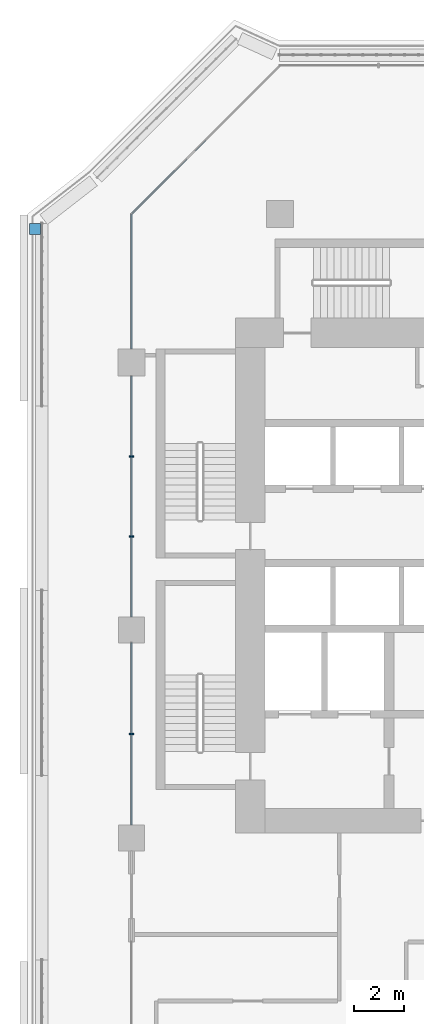
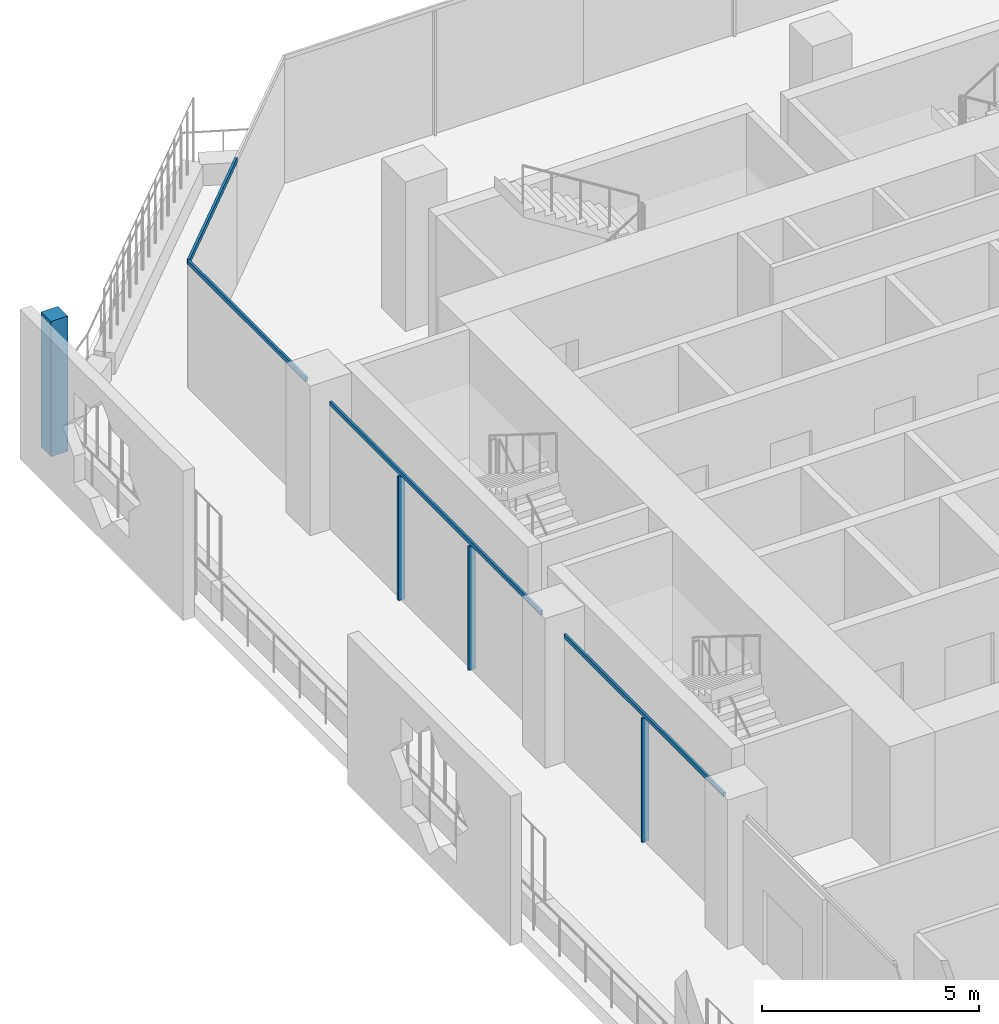
# One storey, part 5 of 25: 8 members, 3 elements without a shape of their own.
"""IFC4 building model written with IfcOpenShell, lengths in metres."""

import ifcopenshell
import ifcopenshell.guid

model = None  # the IFC model being written
_history = None  # IfcOwnerHistory: only IFC2X3 demands one
_inside = {}  # id of a spatial element -> (the spatial element, [elements in it])
_under = {}  # id of a project, library or spatial element -> (it, [spatial elements below it])
_declared = {}  # id of a project -> (the project, [libraries it declares])
_typed = {}  # id of a type object -> (the type object, [elements of that type])
_made_of = {}  # id of a material, layer set ... -> (it, [elements and type objects made of it])


def new_model(schema):
    """Start an empty IFC model of exactly this schema.

    Asked for "IFC4X3", IfcOpenShell would pick the latest addendum, in which some entities
    have other attributes; the version numbers below select the first issue.
    IFC2X3 requires an IfcOwnerHistory on every rooted entity: one is made here for all.
    """
    global model, _history
    if schema == "IFC4X3":
        model = ifcopenshell.file(schema_version=(4, 3, 0, 0))
    else:
        model = ifcopenshell.file(schema=schema)
    _inside.clear()
    _under.clear()
    _declared.clear()
    _typed.clear()
    _made_of.clear()
    _history = None
    if model.schema == "IFC2X3":
        org = make("IfcOrganization", Name="unknown")
        user = make(
            "IfcPersonAndOrganization",
            ThePerson=make("IfcPerson", FamilyName="unknown"),
            TheOrganization=org,
        )
        app = make(
            "IfcApplication",
            ApplicationDeveloper=org,
            Version="unknown",
            ApplicationFullName="unknown",
            ApplicationIdentifier="unknown",
        )
        _history = make(
            "IfcOwnerHistory",
            OwningUser=user,
            OwningApplication=app,
            ChangeAction="ADDED",
            CreationDate=0,
        )
    return model


def make(cls, **values):
    """One entity of the class cls with the attributes given. An attribute that is None is left unset."""
    return model.create_entity(
        cls, **{name: value for name, value in values.items() if value is not None}
    )


def rooted(cls, **values):
    """An entity with a GlobalId (a new one), such as an element, a storey or a relation."""
    return make(cls, GlobalId=ifcopenshell.guid.new(), OwnerHistory=_history, **values)


def si_unit(unit_type, name, prefix=None):
    """IfcSIUnit, for example si_unit("LENGTHUNIT", "METRE", prefix="MILLI")."""
    return make("IfcSIUnit", UnitType=unit_type, Prefix=prefix, Name=name)


def assignment(units):
    """IfcUnitAssignment: the units of a project."""
    return None if units is None else make("IfcUnitAssignment", Units=units)


def point(xyz):
    """IfcCartesianPoint."""
    return None if xyz is None else make("IfcCartesianPoint", Coordinates=xyz)


def direction(xyz):
    """IfcDirection."""
    return None if xyz is None else make("IfcDirection", DirectionRatios=xyz)


def frame(location, z_axis=None, x_axis=None):
    """IfcAxis2Placement3D, a coordinate frame: its origin and axes. An axis left out is left unset."""
    return make(
        "IfcAxis2Placement3D",
        Location=point(location),
        Axis=direction(z_axis),
        RefDirection=direction(x_axis),
    )


def frame_2d(location, x_axis=None):
    """IfcAxis2Placement2D, a coordinate frame in the plane: its origin and x axis."""
    return make(
        "IfcAxis2Placement2D", Location=point(location), RefDirection=direction(x_axis)
    )


def origin():
    """The frame at (0, 0, 0) with its axes left unset."""
    return frame((0.0, 0.0, 0.0))


def origin_2d():
    """The frame at (0, 0) in the plane with its x axis left unset."""
    return frame_2d((0.0, 0.0))


def place(relative_to, where):
    """IfcLocalPlacement: puts the frame where relative to a parent placement (None: the world)."""
    return make(
        "IfcLocalPlacement", PlacementRelTo=relative_to, RelativePlacement=where
    )


def context(
    kind, dimensions, precision=None, world=None, true_north=None, identifier=None
):
    """IfcGeometricRepresentationContext, for example the 3D "Model" context."""
    return make(
        "IfcGeometricRepresentationContext",
        ContextIdentifier=identifier,
        ContextType=kind,
        CoordinateSpaceDimension=dimensions,
        Precision=precision,
        WorldCoordinateSystem=world,
        TrueNorth=true_north,
    )


def subcontext(parent, identifier, kind, view, scale=None):
    """IfcGeometricRepresentationSubContext, for example "Body" below "Model"."""
    return make(
        "IfcGeometricRepresentationSubContext",
        ContextIdentifier=identifier,
        ContextType=kind,
        ParentContext=parent,
        TargetScale=scale,
        TargetView=view,
    )


def project(units=None, contexts=None):
    """IfcProject with its units and contexts."""
    return rooted(
        "IfcProject",
        Name="project",
        RepresentationContexts=contexts,
        UnitsInContext=assignment(units),
    )


def spatial(cls, under=None, at=None, **own):
    """A site, building, storey or space (cls), placed at a placement, below another one or the project."""
    s = rooted(cls, ObjectPlacement=at, **own)
    if under is not None:
        _under.setdefault(under.id(), (under, []))[1].append(s)
    return s


def profile(cls, at=None, kind="AREA", **sizes):
    """A parametric profile (cls). Its sizes go by their IFC names, for example OverallWidth=200.0."""
    return make(cls, ProfileType=kind, Position=at, **sizes)


def rectangle(**sizes):
    """IfcRectangleProfileDef."""
    return profile("IfcRectangleProfileDef", **sizes)


def extrude(swept, where, along, depth):
    """IfcExtrudedAreaSolid: the profile swept, set in the frame where, extruded along a direction by depth."""
    return make(
        "IfcExtrudedAreaSolid",
        SweptArea=swept,
        Position=where,
        ExtrudedDirection=direction(along),
        Depth=depth,
    )


def shape(context_of_items, identifier, shape_type, items):
    """IfcShapeRepresentation: the items that make up one representation, for example the "Body"."""
    return make(
        "IfcShapeRepresentation",
        ContextOfItems=context_of_items,
        RepresentationIdentifier=identifier,
        RepresentationType=shape_type,
        Items=items,
    )


def material(Name=None, Category=None):
    """IfcMaterial."""
    return make("IfcMaterial", Name=Name, Category=Category)


def layer(
    of_material, thickness, ventilated=None, Name=None, Category=None, Priority=None
):
    """IfcMaterialLayer: one layer of a wall or slab, of a material (None: an air gap)."""
    return make(
        "IfcMaterialLayer",
        Material=of_material,
        LayerThickness=thickness,
        IsVentilated=ventilated,
        Name=Name,
        Category=Category,
        Priority=Priority,
    )


def layer_set(layers, Name=None):
    """IfcMaterialLayerSet."""
    return make("IfcMaterialLayerSet", MaterialLayers=layers, LayerSetName=Name)


def material_profile(
    of_material, cross_section, Name=None, Category=None, Priority=None
):
    """IfcMaterialProfile: a cross section and its material."""
    return make(
        "IfcMaterialProfile",
        Name=Name,
        Material=of_material,
        Profile=cross_section,
        Priority=Priority,
        Category=Category,
    )


def profile_set(profiles, Name=None, composite=None):
    """IfcMaterialProfileSet."""
    return make(
        "IfcMaterialProfileSet",
        Name=Name,
        MaterialProfiles=profiles,
        CompositeProfile=composite,
    )


def made_of(thing, what):
    """Note that an element or type object is made of a material, layer set ...; save() writes the relation."""
    if what is not None:
        _made_of.setdefault(what.id(), (what, []))[1].append(thing)
    return thing


def type_object(cls, material=None, **own):
    """A type object (cls), such as IfcWallType, which elements share."""
    return made_of(rooted(cls, **own), material)


def element(
    cls,
    number,
    at=None,
    inside=None,
    cuts=None,
    type_object=None,
    material=None,
    context=None,
    identifier="Body",
    shape_type=None,
    held_by="IfcProductDefinitionShape",
    body=None,
    shapes=None,
    **own,
):
    """One element of the class cls, such as IfcWall. Its Tag is "e" and its number.

    at: its placement. inside: the storey or other place that contains it. cuts: it is an
    opening in that element (IfcRelVoidsElement). A single representation is given by context,
    identifier, shape_type and body (its items); several are given by shapes. held_by: the class
    of the entity that holds the representations. save() writes the other relations.
    """
    e = rooted(cls, Tag="e%d" % number, ObjectPlacement=at, **own)
    if body is not None:
        shapes = [shape(context, identifier, shape_type, body)]
    if shapes is not None:
        e.Representation = make(held_by, Representations=shapes)
    if inside is not None:
        _inside.setdefault(inside.id(), (inside, []))[1].append(e)
    if cuts is not None:
        rooted(
            "IfcRelVoidsElement", RelatingBuildingElement=cuts, RelatedOpeningElement=e
        )
    if type_object is not None:
        _typed.setdefault(type_object.id(), (type_object, []))[1].append(e)
    return made_of(e, material)


def aggregate(whole, parts):
    """IfcRelAggregates: a whole, such as a stair, and the parts it consists of."""
    return rooted("IfcRelAggregates", RelatingObject=whole, RelatedObjects=parts)


def save(model, path):
    """Write the relations noted so far, then the file.

    IfcRelAggregates (storeys below a building ...), IfcRelContainedInSpatialStructure (elements
    in a storey), IfcRelDefinesByType, IfcRelAssociatesMaterial and IfcRelDeclares: one each for
    every whole, place, type object, material and project.
    """
    for whole, parts in _under.values():
        aggregate(whole, parts)
    for where, things in _inside.values():
        rooted(
            "IfcRelContainedInSpatialStructure",
            RelatedElements=things,
            RelatingStructure=where,
        )
    for kind, things in _typed.values():
        rooted("IfcRelDefinesByType", RelatedObjects=things, RelatingType=kind)
    for what, things in _made_of.values():
        rooted("IfcRelAssociatesMaterial", RelatedObjects=things, RelatingMaterial=what)
    for by, libraries in _declared.values():
        rooted("IfcRelDeclares", RelatingContext=by, RelatedDefinitions=libraries)
    model.write(path)


model = new_model("IFC4")

# Units and contexts
model_context = context("Model", 3, precision=1e-05, world=origin(), true_north=direction((0.0, 1.0)))
body_context = subcontext(model_context, "Body", "Model", "MODEL_VIEW")
ifc_project = project(units=[si_unit("LENGTHUNIT", "METRE"), si_unit("AREAUNIT", "SQUARE_METRE"), si_unit("VOLUMEUNIT", "CUBIC_METRE"), si_unit("PLANEANGLEUNIT", "RADIAN"), si_unit("MASSUNIT", "GRAM", prefix="KILO")], contexts=[model_context])

# Site, building, storey
site_placement = place(None, origin())
site = spatial("IfcSite", under=ifc_project, at=site_placement, CompositionType="ELEMENT")
building_placement = place(site_placement, origin())
building = spatial("IfcBuilding", under=site, at=building_placement, Name="Kawkab Arch Medical Tower", CompositionType="ELEMENT")
storey_placement = place(building_placement, frame((0.0, 0.0, 136.60009765625)))
storey = spatial("IfcBuildingStorey", under=building, at=storey_placement, Name="L31", CompositionType="ELEMENT", Elevation=136.60009765625)

# Curtain wall, members
ifc_material_1 = material(Name="Bronze anodised aluminium curtain wall frame", Category="aluminium")
ifc_layer_1 = layer(ifc_material_1, 0.159912109375)
ifc_layer_set_1 = layer_set([ifc_layer_1], Name="Bronze anodised aluminium curtain wall frame")
curtain_wall_type_1 = type_object("IfcCurtainWallType", Name="CW1 ward curtain wall", PredefinedType="NOTDEFINED", material=ifc_layer_set_1)
placement = place(storey_placement, origin())
curtain_wall_1 = element("IfcCurtainWall", 1, at=placement, inside=storey, type_object=curtain_wall_type_1, Name="CW1 Ward curtain wall R01", PredefinedType="NOTDEFINED")
ifc_material_2 = material(Name="Bronze anodised aluminium curtain wall frame", Category="aluminium")
ifc_material_profile_1 = material_profile(ifc_material_2, rectangle(XDim=0.179931640625, YDim=0.06005859375, at=origin_2d()), Name="AL 60x180")
ifc_profile_set_1 = profile_set([ifc_material_profile_1], Name="Bronze anodised aluminium curtain wall frame")
member_type_1 = type_object("IfcMemberType", Name="CW1 mullion 60 x 180", PredefinedType="MULLION", material=ifc_profile_set_1)
member_1_placement = place(storey_placement, frame((0.0, -9.791748046875, 0.0), z_axis=(0.0, 0.0, 1.0), x_axis=(1.0, 0.0, 0.0)))
member_1 = element("IfcMember", 2, at=member_1_placement, type_object=member_type_1, Name="CW1 mullion 2.1", PredefinedType="MULLION", context=body_context, shape_type="SweptSolid", body=[
    extrude(rectangle(XDim=0.179931640625, YDim=0.06005859375, at=origin_2d()), origin(), (0.0, 0.0, 1.0), 3.47998046875),
])
member_2_placement = place(storey_placement, frame((0.0, -13.033447265625, 0.0), z_axis=(0.0, 0.0, 1.0), x_axis=(1.0, 0.0, 0.0)))
member_2 = element("IfcMember", 3, at=member_2_placement, type_object=member_type_1, Name="CW1 mullion 2.2", PredefinedType="MULLION", context=body_context, shape_type="SweptSolid", body=[
    extrude(rectangle(XDim=0.179931640625, YDim=0.06005859375, at=origin_2d()), origin(), (0.0, 0.0, 1.0), 3.47998046875),
])
member_3_placement = place(storey_placement, frame((0.0, -21.0, 0.0), z_axis=(0.0, 0.0, 1.0), x_axis=(1.0, 0.0, 0.0)))
member_3 = element("IfcMember", 4, at=member_3_placement, type_object=member_type_1, Name="CW1 mullion 3.1", PredefinedType="MULLION", context=body_context, shape_type="SweptSolid", body=[
    extrude(rectangle(XDim=0.179931640625, YDim=0.06005859375, at=origin_2d()), origin(), (0.0, 0.0, 1.0), 3.47998046875),
])
ifc_material_3 = material(Name="Bronze anodised aluminium curtain wall frame", Category="aluminium")
ifc_material_profile_2 = material_profile(ifc_material_3, rectangle(XDim=0.06005859375, YDim=0.1201171875, at=origin_2d()), Name="AL 60x120")
ifc_profile_set_2 = profile_set([ifc_material_profile_2], Name="Bronze anodised aluminium curtain wall frame")
member_type_2 = type_object("IfcMemberType", Name="CW1 transom 120 x 60", PredefinedType="USERDEFINED", material=ifc_profile_set_2)
member_4_placement = place(storey_placement, frame((0.0, 0.0, 3.539794921875), z_axis=(0.0, -1.0, 0.0), x_axis=(1.0, 0.0, 0.0)))
member_4 = element("IfcMember", 5, at=member_4_placement, type_object=member_type_2, Name="CW1 transom 1", ObjectType="TRANSOM", PredefinedType="USERDEFINED", context=body_context, shape_type="SweptSolid", body=[
    extrude(rectangle(XDim=0.06005859375, YDim=0.1201171875, at=origin_2d()), origin(), (0.0, 0.0, 1.0), 5.449951171875),
])
member_5_placement = place(storey_placement, frame((0.0, -6.550048828125, 3.539794921875), z_axis=(0.0, -1.0, 0.0), x_axis=(1.0, 0.0, 0.0)))
member_5 = element("IfcMember", 6, at=member_5_placement, type_object=member_type_2, Name="CW1 transom 2", ObjectType="TRANSOM", PredefinedType="USERDEFINED", context=body_context, shape_type="SweptSolid", body=[
    extrude(rectangle(XDim=0.06005859375, YDim=0.1201171875, at=origin_2d()), origin(), (0.0, 0.0, 1.0), 9.724853515625),
])
member_6_placement = place(storey_placement, frame((0.0, -17.324951171875, 3.539794921875), z_axis=(0.0, -1.0, 0.0), x_axis=(1.0, 0.0, 0.0)))
member_6 = element("IfcMember", 7, at=member_6_placement, type_object=member_type_2, Name="CW1 transom 3", ObjectType="TRANSOM", PredefinedType="USERDEFINED", context=body_context, shape_type="SweptSolid", body=[
    extrude(rectangle(XDim=0.06005859375, YDim=0.1201171875, at=origin_2d()), origin(), (0.0, 0.0, 1.0), 7.35009765625),
])
aggregate(curtain_wall_1, [member_4, member_5, member_1, member_2, member_6, member_3])

# Curtain wall, member
ifc_material_4 = material(Name="Bronze anodised aluminium curtain wall frame", Category="aluminium")
ifc_layer_2 = layer(ifc_material_4, 0.159912109375)
ifc_layer_set_2 = layer_set([ifc_layer_2], Name="Bronze anodised aluminium curtain wall frame")
curtain_wall_type_2 = type_object("IfcCurtainWallType", Name="CW2 chamfer curtain wall", PredefinedType="NOTDEFINED", material=ifc_layer_set_2)
curtain_wall_2 = element("IfcCurtainWall", 8, at=placement, inside=storey, type_object=curtain_wall_type_2, Name="CW2 Chamfer curtain wall R12", PredefinedType="NOTDEFINED")
ifc_material_5 = material(Name="Bronze anodised aluminium curtain wall frame", Category="aluminium")
ifc_material_profile_3 = material_profile(ifc_material_5, rectangle(XDim=0.06005859375, YDim=0.139892578125, at=origin_2d()), Name="AL 60x140")
ifc_profile_set_3 = profile_set([ifc_material_profile_3], Name="Bronze anodised aluminium curtain wall frame")
member_type_3 = type_object("IfcMemberType", Name="CW2 transom 140 x 60", PredefinedType="USERDEFINED", material=ifc_profile_set_3)
member_7_placement = place(storey_placement, frame((3.0, 3.0, 3.52978515625), z_axis=(-0.707106781187, -0.707106781187, 0.0), x_axis=(0.707106781187, -0.707106781187, 0.0)))
member_7 = element("IfcMember", 9, at=member_7_placement, type_object=member_type_3, Name="CW2 transom 2", ObjectType="TRANSOM", PredefinedType="USERDEFINED", context=body_context, shape_type="SweptSolid", body=[
    extrude(rectangle(XDim=0.06005859375, YDim=0.139892578125, at=origin_2d()), origin(), (0.0, 0.0, 1.0), 4.24267578125),
])
aggregate(curtain_wall_2, [member_7])

ifc_material_6 = material(Name="Bronze anodised aluminium climber frame, planted", Category="aluminium")
ifc_layer_3 = layer(ifc_material_6, 0.449951171875)
ifc_layer_set_3 = layer_set([ifc_layer_3], Name="Bronze anodised aluminium climber frame, planted")
curtain_wall_type_3 = type_object("IfcCurtainWallType", Name="Planted climber frame", PredefinedType="NOTDEFINED", material=ifc_layer_set_3)
curtain_wall_3 = element("IfcCurtainWall", 10, at=placement, inside=storey, type_object=curtain_wall_type_3, Name="Planted climber frame L31", PredefinedType="NOTDEFINED")
ifc_material_7 = material(Name="Bronze anodised aluminium climber frame, planted", Category="aluminium")
ifc_material_profile_4 = material_profile(ifc_material_7, rectangle(XDim=0.449951171875, YDim=0.449951171875, at=origin_2d()), Name="Post 450x450")
ifc_profile_set_4 = profile_set([ifc_material_profile_4], Name="Bronze anodised aluminium climber frame, planted")
member_type_4 = type_object("IfcMemberType", Name="Planted climber post 450 x 450", PredefinedType="MULLION", material=ifc_profile_set_4)
member_8_placement = place(storey_placement, frame((-3.89990234375, -0.596923828125, 0.0), z_axis=(0.0, 0.0, 1.0), x_axis=(1.0, 0.0, 0.0)))
member_8 = element("IfcMember", 11, at=member_8_placement, type_object=member_type_4, Name="Planted climber post L31.LOG-01-01.2", PredefinedType="MULLION", context=body_context, shape_type="SweptSolid", body=[
    extrude(rectangle(XDim=0.449951171875, YDim=0.449951171875, at=origin_2d()), origin(), (0.0, 0.0, 1.0), 3.7998046875),
])
aggregate(curtain_wall_3, [member_8])

save(model, "model.ifc")
